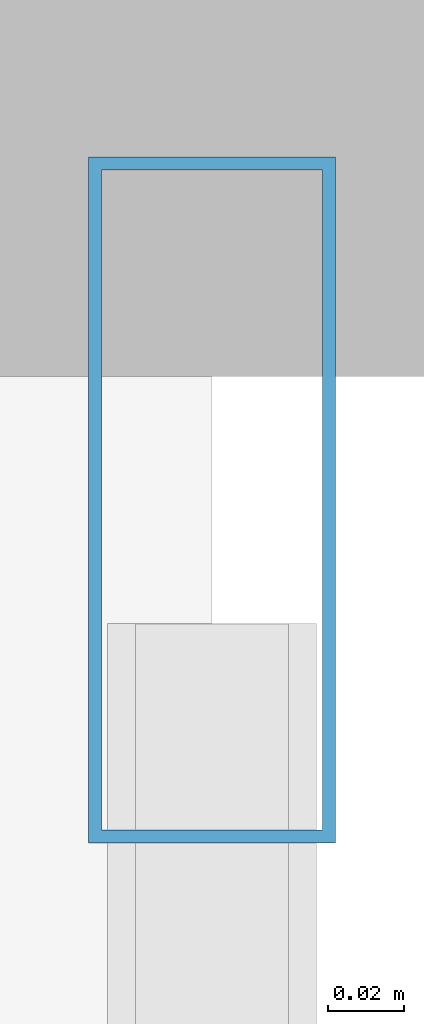
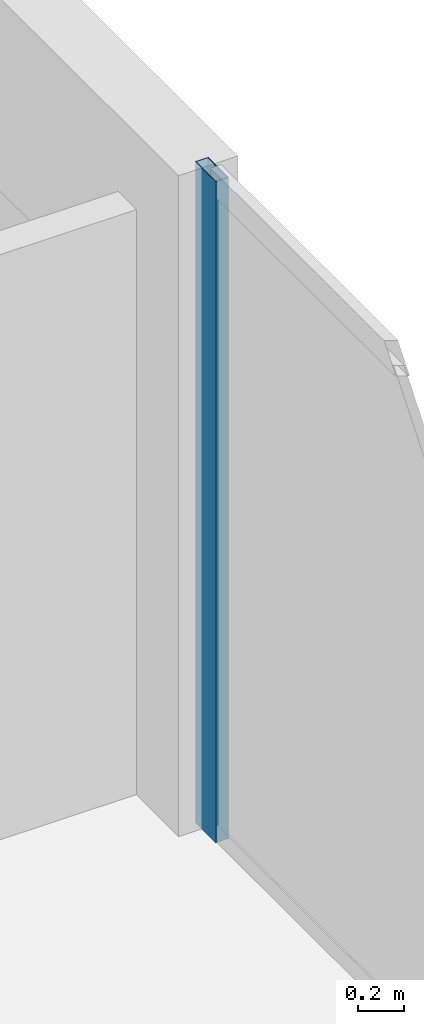
# One storey, part 21 of 33: 1 member, 1 element without a shape of its own.
"""IFC4 building model written with IfcOpenShell, lengths in metres."""

from ifc_helpers import new_model, si_unit, direction, frame, origin, origin_2d, place, context, subcontext, project, spatial, hollow_rectangle, extrude, material, layer, layer_set, material_profile, profile_set, type_object, element, aggregate, save


model = new_model("IFC4")

# Units and contexts
model_context = context("Model", 3, precision=1e-05, world=origin(), true_north=direction((0.0, 1.0)))
body_context = subcontext(model_context, "Body", "Model", "MODEL_VIEW")
ifc_project = project(units=[si_unit("LENGTHUNIT", "METRE"), si_unit("AREAUNIT", "SQUARE_METRE"), si_unit("VOLUMEUNIT", "CUBIC_METRE"), si_unit("PLANEANGLEUNIT", "RADIAN"), si_unit("MASSUNIT", "GRAM", prefix="KILO")], contexts=[model_context])

# Site, building, storey
site_placement = place(None, origin())
site = spatial("IfcSite", under=ifc_project, at=site_placement, CompositionType="ELEMENT")
building_placement = place(site_placement, origin())
building = spatial("IfcBuilding", under=site, at=building_placement, Name="Zuhayl Quay Hotel", CompositionType="ELEMENT")
storey_placement = place(building_placement, frame((0.0, 0.0, 222.39990234375)))
storey = spatial("IfcBuildingStorey", under=building, at=storey_placement, Name="L56", CompositionType="ELEMENT", Elevation=222.39990234375)

# Curtain wall, member
ifc_material_1 = material(Name="Anodised Aluminium 6063-T6", Category="aluminium")
ifc_layer = layer(ifc_material_1, 0.175048828125, Name="Anodised Aluminium 6063-T6", Category="aluminium")
ifc_layer_set = layer_set([ifc_layer], Name="Anodised Aluminium 6063-T6")
curtain_wall_type = type_object("IfcCurtainWallType", Name="CW_SYS_Z3", PredefinedType="USERDEFINED", material=ifc_layer_set)
curtain_wall_placement = place(storey_placement, origin())
curtain_wall = element("IfcCurtainWall", 1, at=curtain_wall_placement, inside=storey, type_object=curtain_wall_type, Name="L56 Curtain Wall ENV_L56_E11_CW1", ObjectType="UNITISED CURTAIN WALL", PredefinedType="USERDEFINED")
ifc_material_2 = material(Name="Black-anodised aluminium 6063-T6", Category="aluminium")
ifc_material_profile = material_profile(ifc_material_2, hollow_rectangle(XDim=0.06494140625, YDim=0.179931640625, WallThickness=0.00341796875, at=origin_2d()), Name="ALU180X65")
ifc_profile_set = profile_set([ifc_material_profile], Name="Black-anodised aluminium 6063-T6")
member_type = type_object("IfcMemberType", Name="MB_CW_MUL_180", PredefinedType="MULLION", material=ifc_profile_set)
member_placement = place(storey_placement, frame((22.10009765625, 24.517578125, 0.0), z_axis=(0.0, 0.0, 1.0), x_axis=(1.0, 0.0, 0.0)))
member = element("IfcMember", 2, at=member_placement, type_object=member_type, Name="CW-Z3 mullion 1", PredefinedType="MULLION", context=body_context, shape_type="SweptSolid", body=[
    extrude(hollow_rectangle(XDim=0.06494140625, YDim=0.179931640625, WallThickness=0.00341796875, at=origin_2d()), origin(), (0.0, 0.0, 1.0), 3.530029296875),
])
aggregate(curtain_wall, [member])

save(model, "model.ifc")
